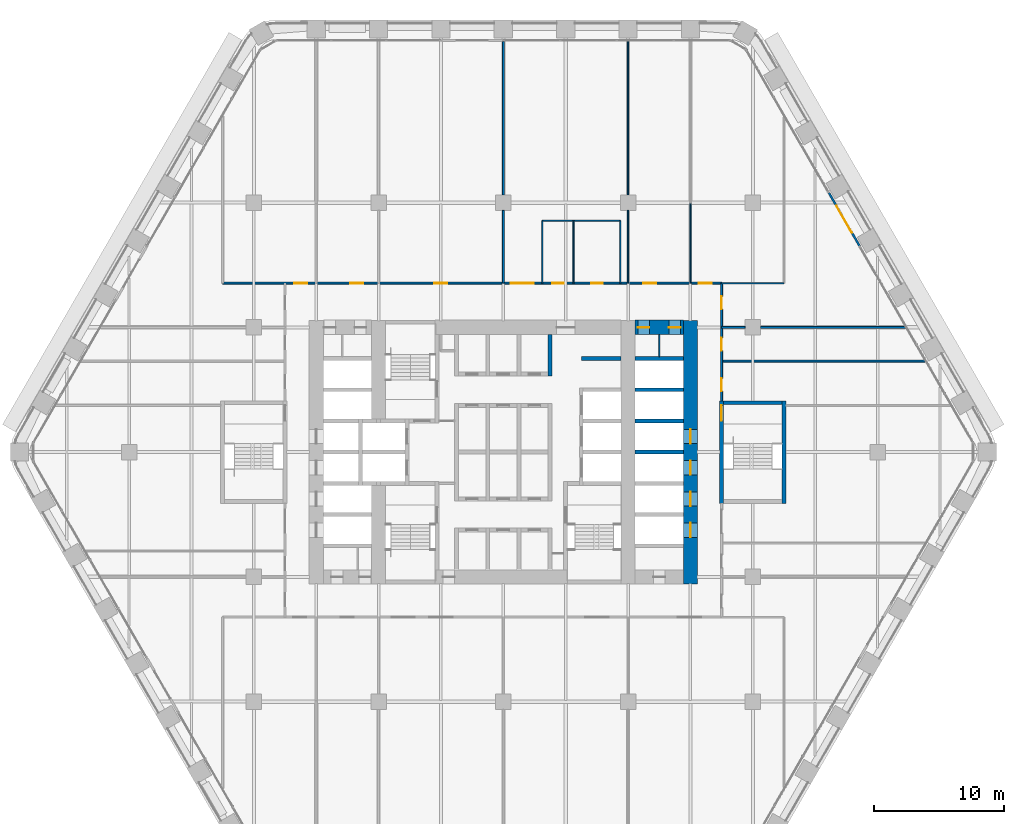
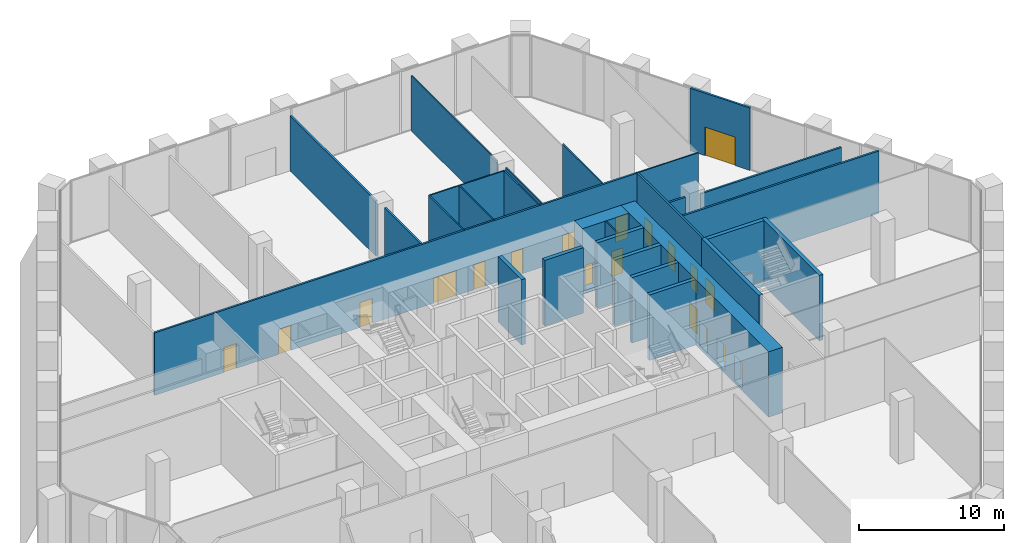
# One storey, part 21 of 27: 28 walls, 19 doors, 19 openings.
"""IFC4 building model written with IfcOpenShell, lengths in metres."""

import ifcopenshell
import ifcopenshell.guid

model = None  # the IFC model being written
_history = None  # IfcOwnerHistory: only IFC2X3 demands one
_inside = {}  # id of a spatial element -> (the spatial element, [elements in it])
_under = {}  # id of a project, library or spatial element -> (it, [spatial elements below it])
_declared = {}  # id of a project -> (the project, [libraries it declares])
_typed = {}  # id of a type object -> (the type object, [elements of that type])
_made_of = {}  # id of a material, layer set ... -> (it, [elements and type objects made of it])


def new_model(schema):
    """Start an empty IFC model of exactly this schema.

    Asked for "IFC4X3", IfcOpenShell would pick the latest addendum, in which some entities
    have other attributes; the version numbers below select the first issue.
    IFC2X3 requires an IfcOwnerHistory on every rooted entity: one is made here for all.
    """
    global model, _history
    if schema == "IFC4X3":
        model = ifcopenshell.file(schema_version=(4, 3, 0, 0))
    else:
        model = ifcopenshell.file(schema=schema)
    _inside.clear()
    _under.clear()
    _declared.clear()
    _typed.clear()
    _made_of.clear()
    _history = None
    if model.schema == "IFC2X3":
        org = make("IfcOrganization", Name="unknown")
        user = make(
            "IfcPersonAndOrganization",
            ThePerson=make("IfcPerson", FamilyName="unknown"),
            TheOrganization=org,
        )
        app = make(
            "IfcApplication",
            ApplicationDeveloper=org,
            Version="unknown",
            ApplicationFullName="unknown",
            ApplicationIdentifier="unknown",
        )
        _history = make(
            "IfcOwnerHistory",
            OwningUser=user,
            OwningApplication=app,
            ChangeAction="ADDED",
            CreationDate=0,
        )
    return model


def make(cls, **values):
    """One entity of the class cls with the attributes given. An attribute that is None is left unset."""
    return model.create_entity(
        cls, **{name: value for name, value in values.items() if value is not None}
    )


def rooted(cls, **values):
    """An entity with a GlobalId (a new one), such as an element, a storey or a relation."""
    return make(cls, GlobalId=ifcopenshell.guid.new(), OwnerHistory=_history, **values)


def si_unit(unit_type, name, prefix=None):
    """IfcSIUnit, for example si_unit("LENGTHUNIT", "METRE", prefix="MILLI")."""
    return make("IfcSIUnit", UnitType=unit_type, Prefix=prefix, Name=name)


def assignment(units):
    """IfcUnitAssignment: the units of a project."""
    return None if units is None else make("IfcUnitAssignment", Units=units)


def point(xyz):
    """IfcCartesianPoint."""
    return None if xyz is None else make("IfcCartesianPoint", Coordinates=xyz)


def direction(xyz):
    """IfcDirection."""
    return None if xyz is None else make("IfcDirection", DirectionRatios=xyz)


def frame(location, z_axis=None, x_axis=None):
    """IfcAxis2Placement3D, a coordinate frame: its origin and axes. An axis left out is left unset."""
    return make(
        "IfcAxis2Placement3D",
        Location=point(location),
        Axis=direction(z_axis),
        RefDirection=direction(x_axis),
    )


def frame_2d(location, x_axis=None):
    """IfcAxis2Placement2D, a coordinate frame in the plane: its origin and x axis."""
    return make(
        "IfcAxis2Placement2D", Location=point(location), RefDirection=direction(x_axis)
    )


def origin():
    """The frame at (0, 0, 0) with its axes left unset."""
    return frame((0.0, 0.0, 0.0))


def place(relative_to, where):
    """IfcLocalPlacement: puts the frame where relative to a parent placement (None: the world)."""
    return make(
        "IfcLocalPlacement", PlacementRelTo=relative_to, RelativePlacement=where
    )


def context(
    kind, dimensions, precision=None, world=None, true_north=None, identifier=None
):
    """IfcGeometricRepresentationContext, for example the 3D "Model" context."""
    return make(
        "IfcGeometricRepresentationContext",
        ContextIdentifier=identifier,
        ContextType=kind,
        CoordinateSpaceDimension=dimensions,
        Precision=precision,
        WorldCoordinateSystem=world,
        TrueNorth=true_north,
    )


def subcontext(parent, identifier, kind, view, scale=None):
    """IfcGeometricRepresentationSubContext, for example "Body" below "Model"."""
    return make(
        "IfcGeometricRepresentationSubContext",
        ContextIdentifier=identifier,
        ContextType=kind,
        ParentContext=parent,
        TargetScale=scale,
        TargetView=view,
    )


def project(units=None, contexts=None):
    """IfcProject with its units and contexts."""
    return rooted(
        "IfcProject",
        Name="project",
        RepresentationContexts=contexts,
        UnitsInContext=assignment(units),
    )


def spatial(cls, under=None, at=None, **own):
    """A site, building, storey or space (cls), placed at a placement, below another one or the project."""
    s = rooted(cls, ObjectPlacement=at, **own)
    if under is not None:
        _under.setdefault(under.id(), (under, []))[1].append(s)
    return s


def profile(cls, at=None, kind="AREA", **sizes):
    """A parametric profile (cls). Its sizes go by their IFC names, for example OverallWidth=200.0."""
    return make(cls, ProfileType=kind, Position=at, **sizes)


def rectangle(**sizes):
    """IfcRectangleProfileDef."""
    return profile("IfcRectangleProfileDef", **sizes)


def extrude(swept, where, along, depth):
    """IfcExtrudedAreaSolid: the profile swept, set in the frame where, extruded along a direction by depth."""
    return make(
        "IfcExtrudedAreaSolid",
        SweptArea=swept,
        Position=where,
        ExtrudedDirection=direction(along),
        Depth=depth,
    )


def shape(context_of_items, identifier, shape_type, items):
    """IfcShapeRepresentation: the items that make up one representation, for example the "Body"."""
    return make(
        "IfcShapeRepresentation",
        ContextOfItems=context_of_items,
        RepresentationIdentifier=identifier,
        RepresentationType=shape_type,
        Items=items,
    )


def material(Name=None, Category=None):
    """IfcMaterial."""
    return make("IfcMaterial", Name=Name, Category=Category)


def layer(
    of_material, thickness, ventilated=None, Name=None, Category=None, Priority=None
):
    """IfcMaterialLayer: one layer of a wall or slab, of a material (None: an air gap)."""
    return make(
        "IfcMaterialLayer",
        Material=of_material,
        LayerThickness=thickness,
        IsVentilated=ventilated,
        Name=Name,
        Category=Category,
        Priority=Priority,
    )


def layer_set(layers, Name=None):
    """IfcMaterialLayerSet."""
    return make("IfcMaterialLayerSet", MaterialLayers=layers, LayerSetName=Name)


def made_of(thing, what):
    """Note that an element or type object is made of a material, layer set ...; save() writes the relation."""
    if what is not None:
        _made_of.setdefault(what.id(), (what, []))[1].append(thing)
    return thing


def type_object(cls, material=None, **own):
    """A type object (cls), such as IfcWallType, which elements share."""
    return made_of(rooted(cls, **own), material)


def element(
    cls,
    number,
    at=None,
    inside=None,
    cuts=None,
    type_object=None,
    material=None,
    context=None,
    identifier="Body",
    shape_type=None,
    held_by="IfcProductDefinitionShape",
    body=None,
    shapes=None,
    **own,
):
    """One element of the class cls, such as IfcWall. Its Tag is "e" and its number.

    at: its placement. inside: the storey or other place that contains it. cuts: it is an
    opening in that element (IfcRelVoidsElement). A single representation is given by context,
    identifier, shape_type and body (its items); several are given by shapes. held_by: the class
    of the entity that holds the representations. save() writes the other relations.
    """
    e = rooted(cls, Tag="e%d" % number, ObjectPlacement=at, **own)
    if body is not None:
        shapes = [shape(context, identifier, shape_type, body)]
    if shapes is not None:
        e.Representation = make(held_by, Representations=shapes)
    if inside is not None:
        _inside.setdefault(inside.id(), (inside, []))[1].append(e)
    if cuts is not None:
        rooted(
            "IfcRelVoidsElement", RelatingBuildingElement=cuts, RelatedOpeningElement=e
        )
    if type_object is not None:
        _typed.setdefault(type_object.id(), (type_object, []))[1].append(e)
    return made_of(e, material)


def fill(opening, filler):
    """IfcRelFillsElement: the door or window that sits in an opening."""
    return rooted(
        "IfcRelFillsElement",
        RelatingOpeningElement=opening,
        RelatedBuildingElement=filler,
    )


def aggregate(whole, parts):
    """IfcRelAggregates: a whole, such as a stair, and the parts it consists of."""
    return rooted("IfcRelAggregates", RelatingObject=whole, RelatedObjects=parts)


def save(model, path):
    """Write the relations noted so far, then the file.

    IfcRelAggregates (storeys below a building ...), IfcRelContainedInSpatialStructure (elements
    in a storey), IfcRelDefinesByType, IfcRelAssociatesMaterial and IfcRelDeclares: one each for
    every whole, place, type object, material and project.
    """
    for whole, parts in _under.values():
        aggregate(whole, parts)
    for where, things in _inside.values():
        rooted(
            "IfcRelContainedInSpatialStructure",
            RelatedElements=things,
            RelatingStructure=where,
        )
    for kind, things in _typed.values():
        rooted("IfcRelDefinesByType", RelatedObjects=things, RelatingType=kind)
    for what, things in _made_of.values():
        rooted("IfcRelAssociatesMaterial", RelatedObjects=things, RelatingMaterial=what)
    for by, libraries in _declared.values():
        rooted("IfcRelDeclares", RelatingContext=by, RelatedDefinitions=libraries)
    model.write(path)


model = new_model("IFC4")

# Units and contexts
model_context = context("Model", 3, precision=1e-05, world=origin(), true_north=direction((0.0, 1.0)))
body_context = subcontext(model_context, "Body", "Model", "MODEL_VIEW")
ifc_project = project(units=[si_unit("LENGTHUNIT", "METRE"), si_unit("AREAUNIT", "SQUARE_METRE"), si_unit("VOLUMEUNIT", "CUBIC_METRE"), si_unit("PLANEANGLEUNIT", "RADIAN"), si_unit("MASSUNIT", "GRAM", prefix="KILO")], contexts=[model_context])

# Site, building, storey
site_placement = place(None, origin())
site = spatial("IfcSite", under=ifc_project, at=site_placement, CompositionType="ELEMENT")
building_placement = place(site_placement, origin())
building = spatial("IfcBuilding", under=site, at=building_placement, Name="Kolab Exchange Tower", CompositionType="ELEMENT")
storey_placement = place(building_placement, frame((0.0, 0.0, 22.39990234375)))
storey = spatial("IfcBuildingStorey", under=building, at=storey_placement, Name="L04", CompositionType="ELEMENT", Elevation=22.39990234375)

# Wall, openings, doors
ifc_material_1 = material(Name="Concrete C80/95", Category="concrete")
ifc_layer_1 = layer(ifc_material_1, 1.10009765625)
ifc_layer_set_1 = layer_set([ifc_layer_1], Name="Concrete C80/95")
wall_type_1 = type_object("IfcWallType", Name="CORE WALL 1100 C80/95", PredefinedType="SHEAR", material=ifc_layer_set_1)
wall_1_placement = place(storey_placement, frame((10.14990234375, 9.60009765625, -0.25), z_axis=(0.0, 0.0, 1.0), x_axis=(1.0, 0.0, 0.0)))
wall_1 = element("IfcWall", 1, at=wall_1_placement, inside=storey, type_object=wall_type_1, Name="wall/L04/core/053", PredefinedType="SHEAR", context=body_context, shape_type="SweptSolid", body=[
    extrude(rectangle(XDim=3.7001953125, YDim=1.10009765625, at=frame_2d((1.85009765625, 0.0))), origin(), (0.0, 0.0, 1.0), 5.5),
])
opening_1_placement = place(wall_1_placement, frame((0.199951171875, 0.0, 0.25)))
opening_1 = element("IfcOpeningElement", 2, at=opening_1_placement, cuts=wall_1, Name="Opening D6-103", PredefinedType="OPENING", context=body_context, shape_type="SweptSolid", body=[
    extrude(rectangle(XDim=0.89990234375, YDim=2.10009765625, at=frame_2d((0.449951171875, 1.050048828125))), frame((0.0, 0.56005859375, 0.0), z_axis=(0.0, -1.0, 0.0), x_axis=(1.0, 0.0, 0.0)), (0.0, 0.0, 1.0), 1.1201171875),
])
opening_2_placement = place(wall_1_placement, frame((2.60009765625, 0.0, 0.25)))
opening_2 = element("IfcOpeningElement", 3, at=opening_2_placement, cuts=wall_1, Name="Opening D6-104", PredefinedType="OPENING", context=body_context, shape_type="SweptSolid", body=[
    extrude(rectangle(XDim=0.89990234375, YDim=2.10009765625, at=frame_2d((0.449951171875, 1.050048828125))), frame((0.0, 0.56005859375, 0.0), z_axis=(0.0, -1.0, 0.0), x_axis=(1.0, 0.0, 0.0)), (0.0, 0.0, 1.0), 1.1201171875),
])
ifc_material_2 = material(Name="Steel S235", Category="steel")
door_type_1 = type_object("IfcDoorType", Name="CORE DOOR 900 EI 120", OperationType="SINGLE_SWING_LEFT", PredefinedType="DOOR", material=ifc_material_2)
door_1_placement = place(opening_1_placement, frame((0.89990234375, 0.0, 0.0), z_axis=(0.0, 0.0, 1.0), x_axis=(-1.0, 0.0, 0.0)))
door_1 = element("IfcDoor", 4, at=door_1_placement, inside=storey, type_object=door_type_1, Name="Service room door", OperationType="SINGLE_SWING_RIGHT", OverallHeight=2.10009765625, OverallWidth=0.89990234375, PredefinedType="DOOR", context=body_context, shape_type="SweptSolid", body=[
    extrude(rectangle(XDim=0.89990234375, YDim=2.10009765625, at=frame_2d((0.449951171875, 1.050048828125))), frame((0.0, 0.02490234375, 0.0), z_axis=(0.0, -1.0, 0.0), x_axis=(1.0, 0.0, 0.0)), (0.0, 0.0, 1.0), 0.050048828125),
])
fill(opening_1, door_1)
door_2_placement = place(opening_2_placement, frame((0.89990234375, 0.0, 0.0), z_axis=(0.0, 0.0, 1.0), x_axis=(-1.0, 0.0, 0.0)))
door_2 = element("IfcDoor", 5, at=door_2_placement, inside=storey, type_object=door_type_1, Name="Service room door", OperationType="SINGLE_SWING_RIGHT", OverallHeight=2.10009765625, OverallWidth=0.89990234375, PredefinedType="DOOR", context=body_context, shape_type="SweptSolid", body=[
    extrude(rectangle(XDim=0.89990234375, YDim=2.10009765625, at=frame_2d((0.449951171875, 1.050048828125))), frame((0.0, 0.02490234375, 0.0), z_axis=(0.0, -1.0, 0.0), x_axis=(1.0, 0.0, 0.0)), (0.0, 0.0, 1.0), 0.050048828125),
])
fill(opening_2, door_2)

wall_2_placement = place(storey_placement, frame((14.39990234375, -10.14990234375, -0.25), z_axis=(0.0, 0.0, 1.0), x_axis=(0.0, 1.0, 0.0)))
wall_2 = element("IfcWall", 6, at=wall_2_placement, inside=storey, type_object=wall_type_1, Name="wall/L04/core/081", PredefinedType="SHEAR", context=body_context, shape_type="SweptSolid", body=[
    extrude(rectangle(XDim=20.2998046875, YDim=1.10009765625, at=frame_2d((10.14990234375, 0.0))), origin(), (0.0, 0.0, 1.0), 5.5),
])
opening_3_placement = place(wall_2_placement, frame((3.60009765625, 0.0, 0.25)))
opening_3 = element("IfcOpeningElement", 7, at=opening_3_placement, cuts=wall_2, Name="Opening LD1-037", PredefinedType="OPENING", context=body_context, shape_type="SweptSolid", body=[
    extrude(rectangle(XDim=1.10009765625, YDim=2.10009765625, at=frame_2d((0.550048828125, 1.050048828125))), frame((0.0, 0.56005859375, 0.0), z_axis=(0.0, -1.0, 0.0), x_axis=(1.0, 0.0, 0.0)), (0.0, 0.0, 1.0), 1.1201171875),
])
opening_4_placement = place(wall_2_placement, frame((6.0, 0.0, 0.25)))
opening_4 = element("IfcOpeningElement", 8, at=opening_4_placement, cuts=wall_2, Name="Opening LD1-038", PredefinedType="OPENING", context=body_context, shape_type="SweptSolid", body=[
    extrude(rectangle(XDim=1.10009765625, YDim=2.10009765625, at=frame_2d((0.550048828125, 1.050048828125))), frame((0.0, 0.56005859375, 0.0), z_axis=(0.0, -1.0, 0.0), x_axis=(1.0, 0.0, 0.0)), (0.0, 0.0, 1.0), 1.1201171875),
])
opening_5_placement = place(wall_2_placement, frame((8.39990234375, 0.0, 0.25)))
opening_5 = element("IfcOpeningElement", 9, at=opening_5_placement, cuts=wall_2, Name="Opening LD1-039", PredefinedType="OPENING", context=body_context, shape_type="SweptSolid", body=[
    extrude(rectangle(XDim=1.10009765625, YDim=2.10009765625, at=frame_2d((0.550048828125, 1.050048828125))), frame((0.0, 0.56005859375, 0.0), z_axis=(0.0, -1.0, 0.0), x_axis=(1.0, 0.0, 0.0)), (0.0, 0.0, 1.0), 1.1201171875),
])
opening_6_placement = place(wall_2_placement, frame((10.800048828125, 0.0, 0.25)))
opening_6 = element("IfcOpeningElement", 10, at=opening_6_placement, cuts=wall_2, Name="Opening LD1-040", PredefinedType="OPENING", context=body_context, shape_type="SweptSolid", body=[
    extrude(rectangle(XDim=1.10009765625, YDim=2.10009765625, at=frame_2d((0.550048828125, 1.050048828125))), frame((0.0, 0.56005859375, 0.0), z_axis=(0.0, -1.0, 0.0), x_axis=(1.0, 0.0, 0.0)), (0.0, 0.0, 1.0), 1.1201171875),
])
ifc_material_3 = material(Name="Stainless steel 316", Category="steel")
door_type_2 = type_object("IfcDoorType", Name="LANDING DOOR 1100 PASSENGER", OperationType="DOUBLE_DOOR_SLIDING", PredefinedType="DOOR", material=ifc_material_3)
door_3_placement = place(opening_3_placement, origin())
door_3 = element("IfcDoor", 11, at=door_3_placement, inside=storey, type_object=door_type_2, Name="Landing door LR1", OperationType="DOUBLE_DOOR_SLIDING", OverallHeight=2.10009765625, OverallWidth=1.10009765625, PredefinedType="DOOR", context=body_context, shape_type="SweptSolid", body=[
    extrude(rectangle(XDim=1.10009765625, YDim=2.10009765625, at=frame_2d((0.550048828125, 1.050048828125))), frame((0.0, 0.02490234375, 0.0), z_axis=(0.0, -1.0, 0.0), x_axis=(1.0, 0.0, 0.0)), (0.0, 0.0, 1.0), 0.050048828125),
])
fill(opening_3, door_3)
door_4_placement = place(opening_4_placement, origin())
door_4 = element("IfcDoor", 12, at=door_4_placement, inside=storey, type_object=door_type_2, Name="Landing door LR2", OperationType="DOUBLE_DOOR_SLIDING", OverallHeight=2.10009765625, OverallWidth=1.10009765625, PredefinedType="DOOR", context=body_context, shape_type="SweptSolid", body=[
    extrude(rectangle(XDim=1.10009765625, YDim=2.10009765625, at=frame_2d((0.550048828125, 1.050048828125))), frame((0.0, 0.02490234375, 0.0), z_axis=(0.0, -1.0, 0.0), x_axis=(1.0, 0.0, 0.0)), (0.0, 0.0, 1.0), 0.050048828125),
])
fill(opening_4, door_4)
door_5_placement = place(opening_5_placement, origin())
door_5 = element("IfcDoor", 13, at=door_5_placement, inside=storey, type_object=door_type_2, Name="Landing door LR3", OperationType="DOUBLE_DOOR_SLIDING", OverallHeight=2.10009765625, OverallWidth=1.10009765625, PredefinedType="DOOR", context=body_context, shape_type="SweptSolid", body=[
    extrude(rectangle(XDim=1.10009765625, YDim=2.10009765625, at=frame_2d((0.550048828125, 1.050048828125))), frame((0.0, 0.02490234375, 0.0), z_axis=(0.0, -1.0, 0.0), x_axis=(1.0, 0.0, 0.0)), (0.0, 0.0, 1.0), 0.050048828125),
])
fill(opening_5, door_5)
door_6_placement = place(opening_6_placement, origin())
door_6 = element("IfcDoor", 14, at=door_6_placement, inside=storey, type_object=door_type_2, Name="Landing door LR4", OperationType="DOUBLE_DOOR_SLIDING", OverallHeight=2.10009765625, OverallWidth=1.10009765625, PredefinedType="DOOR", context=body_context, shape_type="SweptSolid", body=[
    extrude(rectangle(XDim=1.10009765625, YDim=2.10009765625, at=frame_2d((0.550048828125, 1.050048828125))), frame((0.0, 0.02490234375, 0.0), z_axis=(0.0, -1.0, 0.0), x_axis=(1.0, 0.0, 0.0)), (0.0, 0.0, 1.0), 0.050048828125),
])
fill(opening_6, door_6)

# Wall, opening, door
ifc_material_4 = material(Name="Aluminium EN AW-6063 T6", Category="aluminium")
ifc_layer_2 = layer(ifc_material_4, 0.159912109375)
ifc_layer_set_2 = layer_set([ifc_layer_2], Name="Aluminium EN AW-6063 T6")
wall_type_2 = type_object("IfcWallType", Name="DOOR SURROUND WALL 160 ALUMINIUM FRAMED", PredefinedType="PARTITIONING", material=ifc_layer_set_2)
wall_3_placement = place(storey_placement, frame((25.046630859375, 19.96875, 0.0), z_axis=(0.0, 0.0, 1.0), x_axis=(0.5000167099, -0.866015756104, 0.0)))
wall_3 = element("IfcWall", 15, at=wall_3_placement, inside=storey, type_object=wall_type_2, Name="Door surround wall", PredefinedType="PARTITIONING", context=body_context, shape_type="SweptSolid", body=[
    extrude(rectangle(XDim=4.739990234375, YDim=0.159912109375, at=frame_2d((2.3701171875, 0.0))), origin(), (0.0, 0.0, 1.0), 5.25),
])
opening_7_placement = place(wall_3_placement, frame((1.169921875, 0.0, 0.0)))
opening_7 = element("IfcOpeningElement", 16, at=opening_7_placement, cuts=wall_3, Name="Opening GD1-018", PredefinedType="OPENING", context=body_context, shape_type="SweptSolid", body=[
    extrude(rectangle(XDim=2.39990234375, YDim=2.39990234375, at=frame_2d((1.199951171875, 1.199951171875))), frame((0.0, 0.08984375, 0.0), z_axis=(0.0, -1.0, 0.0), x_axis=(1.0, 0.0, 0.0)), (0.0, 0.0, 1.0), 0.179931640625),
])
door_type_3 = type_object("IfcDoorType", Name="LOGGIA SLIDING GLASS DOOR 2400 X 2400", OperationType="DOUBLE_DOOR_SINGLE_SWING", PredefinedType="DOOR", material=ifc_material_4)
door_7_placement = place(opening_7_placement, origin())
door_7 = element("IfcDoor", 17, at=door_7_placement, inside=storey, type_object=door_type_3, Name="Loggia door", OperationType="DOUBLE_DOOR_SLIDING", OverallHeight=2.39990234375, OverallWidth=2.39990234375, PredefinedType="DOOR", context=body_context, shape_type="SweptSolid", body=[
    extrude(rectangle(XDim=2.39990234375, YDim=2.39990234375, at=frame_2d((1.199951171875, 1.199951171875))), frame((0.0, 0.02490234375, 0.0), z_axis=(0.0, -1.0, 0.0), x_axis=(1.0, 0.0, 0.0)), (0.0, 0.0, 1.0), 0.050048828125),
])
fill(opening_7, door_7)

# Walls
ifc_material_5 = material(Name="Concrete C50/60", Category="concrete")
ifc_layer_3 = layer(ifc_material_5, 0.300048828125)
ifc_layer_set_3 = layer_set([ifc_layer_3], Name="Concrete C50/60")
wall_type_3 = type_object("IfcWallType", Name="LIFT SHAFT WALL 300 C50/60", PredefinedType="STANDARD", material=ifc_layer_set_3)
for number, where, z_axis, x_axis, name in (
    (18, (10.14990234375, 0.0, -0.25), (0.0, 0.0, 1.0), (1.0, 0.0, 0.0), "wall/L04/core/030"),
    (19, (10.14990234375, 2.39990234375, -0.25), (0.0, 0.0, 1.0), (1.0, 0.0, 0.0), "wall/L04/core/036"),
    (20, (10.14990234375, 4.800048828125, -0.25), (0.0, 0.0, 1.0), (1.0, 0.0, 0.0), "wall/L04/core/044"),
):
    element("IfcWall", number, at=place(storey_placement, frame(where, z_axis=z_axis, x_axis=x_axis)), inside=storey, type_object=wall_type_3, Name=name, PredefinedType="STANDARD", context=body_context, shape_type="SweptSolid", body=[
        extrude(rectangle(XDim=3.7001953125, YDim=0.300048828125, at=frame_2d((1.85009765625, 0.0))), origin(), (0.0, 0.0, 1.0), 5.5),
    ])
wall_4_placement = place(storey_placement, frame((6.0, 7.199951171875, -0.25), z_axis=(0.0, 0.0, 1.0), x_axis=(1.0, 0.0, 0.0)))
element("IfcWall", 21, at=wall_4_placement, inside=storey, type_object=wall_type_3, Name="wall/L04/core/049", PredefinedType="STANDARD", context=body_context, shape_type="SweptSolid", body=[
    extrude(rectangle(XDim=3.050048828125, YDim=0.300048828125, at=frame_2d((1.52490234375, 0.0))), origin(), (0.0, 0.0, 1.0), 5.5),
])
wall_5_placement = place(storey_placement, frame((10.14990234375, 7.199951171875, -0.25), z_axis=(0.0, 0.0, 1.0), x_axis=(1.0, 0.0, 0.0)))
element("IfcWall", 22, at=wall_5_placement, inside=storey, type_object=wall_type_3, Name="wall/L04/core/050", PredefinedType="STANDARD", context=body_context, shape_type="SweptSolid", body=[
    extrude(rectangle(XDim=3.7001953125, YDim=0.300048828125, at=frame_2d((1.85009765625, 0.0))), origin(), (0.0, 0.0, 1.0), 5.5),
])
wall_6_placement = place(storey_placement, frame((3.60009765625, 5.85009765625, -0.25), z_axis=(0.0, 0.0, 1.0), x_axis=(0.0, 1.0, 0.0)))
element("IfcWall", 23, at=wall_6_placement, inside=storey, type_object=wall_type_3, Name="wall/L04/core/077", PredefinedType="STANDARD", context=body_context, shape_type="SweptSolid", body=[
    extrude(rectangle(XDim=3.199951171875, YDim=0.300048828125, at=frame_2d((1.60009765625, 0.0))), origin(), (0.0, 0.0, 1.0), 5.5),
])
ifc_material_6 = material(Name="Gypsum board", Category="gypsum")
ifc_layer_4 = layer(ifc_material_6, 0.10009765625)
ifc_layer_set_4 = layer_set([ifc_layer_4], Name="Gypsum board")
wall_type_4 = type_object("IfcWallType", Name="PARTITION 100", PredefinedType="PARTITIONING", material=ifc_layer_set_4)
wall_7_placement = place(storey_placement, frame((14.39990234375, 13.0, 0.0), z_axis=(0.0, 0.0, 1.0), x_axis=(0.0, 1.0, 0.0)))
element("IfcWall", 24, at=wall_7_placement, inside=storey, type_object=wall_type_4, Name="Partition 004", PredefinedType="PARTITIONING", context=body_context, shape_type="SweptSolid", body=[
    extrude(rectangle(XDim=6.113037109375, YDim=0.10009765625, at=frame_2d((3.056640625, 0.0))), origin(), (0.0, 0.0, 1.0), 4.793212890625),
])
wall_8_placement = place(storey_placement, frame((12.0, 7.35009765625, 0.0), z_axis=(0.0, 0.0, 1.0), x_axis=(0.0, 1.0, 0.0)))
element("IfcWall", 25, at=wall_8_placement, inside=storey, type_object=wall_type_4, Name="Partition 005", PredefinedType="PARTITIONING", context=body_context, shape_type="SweptSolid", body=[
    extrude(rectangle(XDim=1.699951171875, YDim=0.10009765625, at=frame_2d((0.85009765625, 0.0))), origin(), (0.0, 0.0, 1.0), 5.25),
])
wall_9_placement = place(storey_placement, frame((9.60009765625, 13.0, 0.0), z_axis=(0.0, 0.0, 1.0), x_axis=(0.0, 1.0, 0.0)))
element("IfcWall", 26, at=wall_9_placement, inside=storey, type_object=wall_type_4, Name="Partition 008", PredefinedType="PARTITIONING", context=body_context, shape_type="SweptSolid", body=[
    extrude(rectangle(XDim=5.60009765625, YDim=0.10009765625, at=frame_2d((2.800048828125, 0.0))), origin(), (0.0, 0.0, 1.0), 4.793212890625),
])
wall_10_placement = place(storey_placement, frame((9.60009765625, 19.800048828125, 0.0), z_axis=(0.0, 0.0, 1.0), x_axis=(0.0, 1.0, 0.0)))
element("IfcWall", 27, at=wall_10_placement, inside=storey, type_object=wall_type_4, Name="Partition 009", PredefinedType="PARTITIONING", context=body_context, shape_type="SweptSolid", body=[
    extrude(rectangle(XDim=11.785400390625, YDim=0.10009765625, at=frame_2d((5.892578125, 0.0))), origin(), (0.0, 0.0, 1.0), 4.64208984375),
])
for number, where, z_axis, x_axis, name in (
    (28, (9.0, 13.0, 0.0), (0.0, 0.0, 1.0), (0.0, 1.0, 0.0), "Partition 010"),
    (29, (5.39990234375, 13.0, 0.0), (0.0, 0.0, 1.0), (0.0, 1.0, 0.0), "Partition 011"),
    (30, (3.0, 13.0, 0.0), (0.0, 0.0, 1.0), (0.0, 1.0, 0.0), "Partition 012"),
    (31, (16.800048828125, 13.0, 0.0), (0.0, 0.0, 1.0), (1.0, 0.0, 0.0), "Partition 048"),
):
    element("IfcWall", number, at=place(storey_placement, frame(where, z_axis=z_axis, x_axis=x_axis)), inside=storey, type_object=wall_type_4, Name=name, PredefinedType="PARTITIONING", context=body_context, shape_type="SweptSolid", body=[
        extrude(rectangle(XDim=4.800048828125, YDim=0.10009765625, at=frame_2d((2.39990234375, 0.0))), origin(), (0.0, 0.0, 1.0), 5.25),
    ])
wall_11_placement = place(storey_placement, frame((3.0, 17.800048828125, 0.0), z_axis=(0.0, 0.0, 1.0), x_axis=(1.0, 0.0, 0.0)))
element("IfcWall", 32, at=wall_11_placement, inside=storey, type_object=wall_type_4, Name="Partition 050", PredefinedType="PARTITIONING", context=body_context, shape_type="SweptSolid", body=[
    extrude(rectangle(XDim=6.0, YDim=0.10009765625, at=frame_2d((3.0, 0.0))), origin(), (0.0, 0.0, 1.0), 5.25),
])

# Wall, openings, doors
ifc_layer_5 = layer(ifc_material_6, 0.14990234375)
ifc_layer_set_5 = layer_set([ifc_layer_5], Name="Gypsum board")
wall_type_5 = type_object("IfcWallType", Name="PARTITION 150 FIRE-RATED", PredefinedType="PARTITIONING", material=ifc_layer_set_5)
wall_12_placement = place(storey_placement, frame((16.800048828125, 3.949951171875, 0.0), z_axis=(0.0, 0.0, 1.0), x_axis=(0.0, 1.0, 0.0)))
wall_12 = element("IfcWall", 33, at=wall_12_placement, inside=storey, type_object=wall_type_5, Name="Partition 003", PredefinedType="PARTITIONING", context=body_context, shape_type="SweptSolid", body=[
    extrude(rectangle(XDim=9.050048828125, YDim=0.14990234375, at=frame_2d((4.52490234375, 0.0))), origin(), (0.0, 0.0, 1.0), 5.25),
])
opening_8_placement = place(wall_12_placement, frame((0.7548828125, 0.0, 0.0)))
opening_8 = element("IfcOpeningElement", 34, at=opening_8_placement, cuts=wall_12, Name="Opening D1-075", PredefinedType="OPENING", context=body_context, shape_type="SweptSolid", body=[
    extrude(rectangle(XDim=1.0, YDim=2.10009765625, at=frame_2d((0.5, 1.050048828125))), frame((0.0, 0.0849609375, 0.0), z_axis=(0.0, -1.0, 0.0), x_axis=(1.0, 0.0, 0.0)), (0.0, 0.0, 1.0), 0.169921875),
])
opening_9_placement = place(wall_12_placement, frame((3.85009765625, 0.0, 0.0)))
opening_9 = element("IfcOpeningElement", 35, at=opening_9_placement, cuts=wall_12, Name="Opening D1-076", PredefinedType="OPENING", context=body_context, shape_type="SweptSolid", body=[
    extrude(rectangle(XDim=1.0, YDim=2.10009765625, at=frame_2d((0.5, 1.050048828125))), frame((0.0, 0.0849609375, 0.0), z_axis=(0.0, -1.0, 0.0), x_axis=(1.0, 0.0, 0.0)), (0.0, 0.0, 1.0), 0.169921875),
])
opening_10_placement = place(wall_12_placement, frame((7.050048828125, 0.0, 0.0)))
opening_10 = element("IfcOpeningElement", 36, at=opening_10_placement, cuts=wall_12, Name="Opening D1-077", PredefinedType="OPENING", context=body_context, shape_type="SweptSolid", body=[
    extrude(rectangle(XDim=1.0, YDim=2.10009765625, at=frame_2d((0.5, 1.050048828125))), frame((0.0, 0.0849609375, 0.0), z_axis=(0.0, -1.0, 0.0), x_axis=(1.0, 0.0, 0.0)), (0.0, 0.0, 1.0), 0.169921875),
])
door_type_4 = type_object("IfcDoorType", Name="FLUSH DOOR 1000 FD60", OperationType="SINGLE_SWING_LEFT", PredefinedType="DOOR", material=ifc_material_2)
door_8_placement = place(opening_8_placement, frame((1.0, 0.0, 0.0), z_axis=(0.0, 0.0, 1.0), x_axis=(-1.0, 0.0, 0.0)))
door_8 = element("IfcDoor", 37, at=door_8_placement, inside=storey, type_object=door_type_4, Name="Door L04-062", OperationType="SINGLE_SWING_LEFT", OverallHeight=2.10009765625, OverallWidth=1.0, PredefinedType="DOOR", context=body_context, shape_type="SweptSolid", body=[
    extrude(rectangle(XDim=1.0, YDim=2.10009765625, at=frame_2d((0.5, 1.050048828125))), frame((0.0, 0.02490234375, 0.0), z_axis=(0.0, -1.0, 0.0), x_axis=(1.0, 0.0, 0.0)), (0.0, 0.0, 1.0), 0.050048828125),
])
fill(opening_8, door_8)
door_9_placement = place(opening_9_placement, frame((1.0, 0.0, 0.0), z_axis=(0.0, 0.0, 1.0), x_axis=(-1.0, 0.0, 0.0)))
door_9 = element("IfcDoor", 38, at=door_9_placement, inside=storey, type_object=door_type_4, Name="Door L04-063", OperationType="SINGLE_SWING_RIGHT", OverallHeight=2.10009765625, OverallWidth=1.0, PredefinedType="DOOR", context=body_context, shape_type="SweptSolid", body=[
    extrude(rectangle(XDim=1.0, YDim=2.10009765625, at=frame_2d((0.5, 1.050048828125))), frame((0.0, 0.02490234375, 0.0), z_axis=(0.0, -1.0, 0.0), x_axis=(1.0, 0.0, 0.0)), (0.0, 0.0, 1.0), 0.050048828125),
])
fill(opening_9, door_9)
door_10_placement = place(opening_10_placement, frame((1.0, 0.0, 0.0), z_axis=(0.0, 0.0, 1.0), x_axis=(-1.0, 0.0, 0.0)))
door_10 = element("IfcDoor", 39, at=door_10_placement, inside=storey, type_object=door_type_4, Name="Door L04-064", OperationType="SINGLE_SWING_RIGHT", OverallHeight=2.10009765625, OverallWidth=1.0, PredefinedType="DOOR", context=body_context, shape_type="SweptSolid", body=[
    extrude(rectangle(XDim=1.0, YDim=2.10009765625, at=frame_2d((0.5, 1.050048828125))), frame((0.0, 0.02490234375, 0.0), z_axis=(0.0, -1.0, 0.0), x_axis=(1.0, 0.0, 0.0)), (0.0, 0.0, 1.0), 0.050048828125),
])
fill(opening_10, door_10)

# Walls
wall_13_placement = place(storey_placement, frame((0.0, 13.0, 0.0), z_axis=(0.0, 0.0, 1.0), x_axis=(0.0, 1.0, 0.0)))
element("IfcWall", 40, at=wall_13_placement, inside=storey, type_object=wall_type_5, Name="Partition 015", PredefinedType="PARTITIONING", context=body_context, shape_type="SweptSolid", body=[
    extrude(rectangle(XDim=5.60009765625, YDim=0.14990234375, at=frame_2d((2.800048828125, 0.0))), origin(), (0.0, 0.0, 1.0), 4.793212890625),
])
wall_14_placement = place(storey_placement, frame((0.0, 19.800048828125, 0.0), z_axis=(0.0, 0.0, 1.0), x_axis=(0.0, 1.0, 0.0)))
element("IfcWall", 41, at=wall_14_placement, inside=storey, type_object=wall_type_5, Name="Partition 016", PredefinedType="PARTITIONING", context=body_context, shape_type="SweptSolid", body=[
    extrude(rectangle(XDim=11.79541015625, YDim=0.14990234375, at=frame_2d((5.897705078125, 0.0))), origin(), (0.0, 0.0, 1.0), 4.64208984375),
])
wall_15_placement = place(storey_placement, frame((16.800048828125, 7.0, 0.0), z_axis=(0.0, 0.0, 1.0), x_axis=(1.0, 0.0, 0.0)))
element("IfcWall", 42, at=wall_15_placement, inside=storey, type_object=wall_type_5, Name="Partition 042", PredefinedType="PARTITIONING", context=body_context, shape_type="SweptSolid", body=[
    extrude(rectangle(XDim=15.687744140625, YDim=0.14990234375, at=frame_2d((7.84375, 0.0))), origin(), (0.0, 0.0, 1.0), 5.25),
])
wall_16_placement = place(storey_placement, frame((16.800048828125, 9.60009765625, 0.0), z_axis=(0.0, 0.0, 1.0), x_axis=(1.0, 0.0, 0.0)))
element("IfcWall", 43, at=wall_16_placement, inside=storey, type_object=wall_type_5, Name="Partition 046", PredefinedType="PARTITIONING", context=body_context, shape_type="SweptSolid", body=[
    extrude(rectangle(XDim=1.800048828125, YDim=0.14990234375, at=frame_2d((0.89990234375, 0.0))), origin(), (0.0, 0.0, 1.0), 4.64208984375),
])
wall_17_placement = place(storey_placement, frame((19.800048828125, 9.60009765625, 0.0), z_axis=(0.0, 0.0, 1.0), x_axis=(1.0, 0.0, 0.0)))
element("IfcWall", 44, at=wall_17_placement, inside=storey, type_object=wall_type_5, Name="Partition 047", PredefinedType="PARTITIONING", context=body_context, shape_type="SweptSolid", body=[
    extrude(rectangle(XDim=11.186767578125, YDim=0.14990234375, at=frame_2d((5.59326171875, 0.0))), origin(), (0.0, 0.0, 1.0), 4.488037109375),
])

# Wall, openings, doors
wall_18_placement = place(storey_placement, frame((-21.60009765625, 13.0, 0.0), z_axis=(0.0, 0.0, 1.0), x_axis=(1.0, 0.0, 0.0)))
wall_18 = element("IfcWall", 45, at=wall_18_placement, inside=storey, type_object=wall_type_5, Name="Partition 049", PredefinedType="PARTITIONING", context=body_context, shape_type="SweptSolid", body=[
    extrude(rectangle(XDim=38.400146484375, YDim=0.14990234375, at=frame_2d((19.2001953125, 0.0))), origin(), (0.0, 0.0, 1.0), 5.25),
])
opening_11_placement = place(wall_18_placement, frame((5.5, 0.0, 0.0)))
opening_11 = element("IfcOpeningElement", 46, at=opening_11_placement, cuts=wall_18, Name="Opening D1-066", PredefinedType="OPENING", context=body_context, shape_type="SweptSolid", body=[
    extrude(rectangle(XDim=1.0, YDim=2.10009765625, at=frame_2d((0.5, 1.050048828125))), frame((0.0, 0.0849609375, 0.0), z_axis=(0.0, -1.0, 0.0), x_axis=(1.0, 0.0, 0.0)), (0.0, 0.0, 1.0), 0.169921875),
])
opening_12_placement = place(wall_18_placement, frame((9.824951171875, 0.0, 0.0)))
opening_12 = element("IfcOpeningElement", 47, at=opening_12_placement, cuts=wall_18, Name="Opening D1-067", PredefinedType="OPENING", context=body_context, shape_type="SweptSolid", body=[
    extrude(rectangle(XDim=1.0, YDim=2.10009765625, at=frame_2d((0.5, 1.050048828125))), frame((0.0, 0.0849609375, 0.0), z_axis=(0.0, -1.0, 0.0), x_axis=(1.0, 0.0, 0.0)), (0.0, 0.0, 1.0), 0.169921875),
])
opening_13_placement = place(wall_18_placement, frame((16.300048828125, 0.0, 0.0)))
opening_13 = element("IfcOpeningElement", 48, at=opening_13_placement, cuts=wall_18, Name="Opening D1-068", PredefinedType="OPENING", context=body_context, shape_type="SweptSolid", body=[
    extrude(rectangle(XDim=1.0, YDim=2.10009765625, at=frame_2d((0.5, 1.050048828125))), frame((0.0, 0.0849609375, 0.0), z_axis=(0.0, -1.0, 0.0), x_axis=(1.0, 0.0, 0.0)), (0.0, 0.0, 1.0), 0.169921875),
])
opening_14_placement = place(wall_18_placement, frame((22.155029296875, 0.0, 0.0)))
opening_14 = element("IfcOpeningElement", 49, at=opening_14_placement, cuts=wall_18, Name="Opening D2-009", PredefinedType="OPENING", context=body_context, shape_type="SweptSolid", body=[
    extrude(rectangle(XDim=1.800048828125, YDim=2.10009765625, at=frame_2d((0.89990234375, 1.050048828125))), frame((0.0, 0.0849609375, 0.0), z_axis=(0.0, -1.0, 0.0), x_axis=(1.0, 0.0, 0.0)), (0.0, 0.0, 1.0), 0.169921875),
])
opening_15_placement = place(wall_18_placement, frame((32.375, 0.0, 0.0)))
opening_15 = element("IfcOpeningElement", 50, at=opening_15_placement, cuts=wall_18, Name="Opening D1-069", PredefinedType="OPENING", context=body_context, shape_type="SweptSolid", body=[
    extrude(rectangle(XDim=1.0, YDim=2.10009765625, at=frame_2d((0.5, 1.050048828125))), frame((0.0, 0.0849609375, 0.0), z_axis=(0.0, -1.0, 0.0), x_axis=(1.0, 0.0, 0.0)), (0.0, 0.0, 1.0), 0.169921875),
])
opening_16_placement = place(wall_18_placement, frame((36.625, 0.0, 0.0)))
opening_16 = element("IfcOpeningElement", 51, at=opening_16_placement, cuts=wall_18, Name="Opening D1-070", PredefinedType="OPENING", context=body_context, shape_type="SweptSolid", body=[
    extrude(rectangle(XDim=1.0, YDim=2.10009765625, at=frame_2d((0.5, 1.050048828125))), frame((0.0, 0.0849609375, 0.0), z_axis=(0.0, -1.0, 0.0), x_axis=(1.0, 0.0, 0.0)), (0.0, 0.0, 1.0), 0.169921875),
])
opening_17_placement = place(wall_18_placement, frame((28.35009765625, 0.0, 0.0)))
opening_17 = element("IfcOpeningElement", 52, at=opening_17_placement, cuts=wall_18, Name="Opening D3-009", PredefinedType="OPENING", context=body_context, shape_type="SweptSolid", body=[
    extrude(rectangle(XDim=0.89990234375, YDim=2.10009765625, at=frame_2d((0.449951171875, 1.050048828125))), frame((0.0, 0.0849609375, 0.0), z_axis=(0.0, -1.0, 0.0), x_axis=(1.0, 0.0, 0.0)), (0.0, 0.0, 1.0), 0.169921875),
])
opening_18_placement = place(wall_18_placement, frame((25.35009765625, 0.0, 0.0)))
opening_18 = element("IfcOpeningElement", 53, at=opening_18_placement, cuts=wall_18, Name="Opening D3-010", PredefinedType="OPENING", context=body_context, shape_type="SweptSolid", body=[
    extrude(rectangle(XDim=0.89990234375, YDim=2.10009765625, at=frame_2d((0.449951171875, 1.050048828125))), frame((0.0, 0.0849609375, 0.0), z_axis=(0.0, -1.0, 0.0), x_axis=(1.0, 0.0, 0.0)), (0.0, 0.0, 1.0), 0.169921875),
])
door_type_5 = type_object("IfcDoorType", Name="DOUBLE DOOR 1800 FD60", OperationType="DOUBLE_DOOR_SINGLE_SWING", PredefinedType="DOOR", material=ifc_material_2)
door_11_placement = place(opening_14_placement, origin())
door_11 = element("IfcDoor", 54, at=door_11_placement, inside=storey, type_object=door_type_5, Name="Door L04-051", OperationType="SINGLE_SWING_LEFT", OverallHeight=2.10009765625, OverallWidth=1.800048828125, PredefinedType="DOOR", context=body_context, shape_type="SweptSolid", body=[
    extrude(rectangle(XDim=1.800048828125, YDim=2.10009765625, at=frame_2d((0.89990234375, 1.050048828125))), frame((0.0, 0.02490234375, 0.0), z_axis=(0.0, -1.0, 0.0), x_axis=(1.0, 0.0, 0.0)), (0.0, 0.0, 1.0), 0.050048828125),
])
fill(opening_14, door_11)
door_12_placement = place(opening_11_placement, origin())
door_12 = element("IfcDoor", 55, at=door_12_placement, inside=storey, type_object=door_type_4, Name="Door L04-048", OperationType="SINGLE_SWING_RIGHT", OverallHeight=2.10009765625, OverallWidth=1.0, PredefinedType="DOOR", context=body_context, shape_type="SweptSolid", body=[
    extrude(rectangle(XDim=1.0, YDim=2.10009765625, at=frame_2d((0.5, 1.050048828125))), frame((0.0, 0.02490234375, 0.0), z_axis=(0.0, -1.0, 0.0), x_axis=(1.0, 0.0, 0.0)), (0.0, 0.0, 1.0), 0.050048828125),
])
fill(opening_11, door_12)
door_13_placement = place(opening_12_placement, origin())
door_13 = element("IfcDoor", 56, at=door_13_placement, inside=storey, type_object=door_type_4, Name="Door L04-049", OperationType="SINGLE_SWING_RIGHT", OverallHeight=2.10009765625, OverallWidth=1.0, PredefinedType="DOOR", context=body_context, shape_type="SweptSolid", body=[
    extrude(rectangle(XDim=1.0, YDim=2.10009765625, at=frame_2d((0.5, 1.050048828125))), frame((0.0, 0.02490234375, 0.0), z_axis=(0.0, -1.0, 0.0), x_axis=(1.0, 0.0, 0.0)), (0.0, 0.0, 1.0), 0.050048828125),
])
fill(opening_12, door_13)
door_14_placement = place(opening_13_placement, origin())
door_14 = element("IfcDoor", 57, at=door_14_placement, inside=storey, type_object=door_type_4, Name="Door L04-050", OperationType="SINGLE_SWING_LEFT", OverallHeight=2.10009765625, OverallWidth=1.0, PredefinedType="DOOR", context=body_context, shape_type="SweptSolid", body=[
    extrude(rectangle(XDim=1.0, YDim=2.10009765625, at=frame_2d((0.5, 1.050048828125))), frame((0.0, 0.02490234375, 0.0), z_axis=(0.0, -1.0, 0.0), x_axis=(1.0, 0.0, 0.0)), (0.0, 0.0, 1.0), 0.050048828125),
])
fill(opening_13, door_14)
door_15_placement = place(opening_15_placement, origin())
door_15 = element("IfcDoor", 58, at=door_15_placement, inside=storey, type_object=door_type_4, Name="Door L04-052", OperationType="SINGLE_SWING_LEFT", OverallHeight=2.10009765625, OverallWidth=1.0, PredefinedType="DOOR", context=body_context, shape_type="SweptSolid", body=[
    extrude(rectangle(XDim=1.0, YDim=2.10009765625, at=frame_2d((0.5, 1.050048828125))), frame((0.0, 0.02490234375, 0.0), z_axis=(0.0, -1.0, 0.0), x_axis=(1.0, 0.0, 0.0)), (0.0, 0.0, 1.0), 0.050048828125),
])
fill(opening_15, door_15)
door_16_placement = place(opening_16_placement, origin())
door_16 = element("IfcDoor", 59, at=door_16_placement, inside=storey, type_object=door_type_4, Name="Door L04-053", OperationType="SINGLE_SWING_LEFT", OverallHeight=2.10009765625, OverallWidth=1.0, PredefinedType="DOOR", context=body_context, shape_type="SweptSolid", body=[
    extrude(rectangle(XDim=1.0, YDim=2.10009765625, at=frame_2d((0.5, 1.050048828125))), frame((0.0, 0.02490234375, 0.0), z_axis=(0.0, -1.0, 0.0), x_axis=(1.0, 0.0, 0.0)), (0.0, 0.0, 1.0), 0.050048828125),
])
fill(opening_16, door_16)
door_type_6 = type_object("IfcDoorType", Name="FLUSH DOOR 900 FD60", OperationType="SINGLE_SWING_LEFT", PredefinedType="DOOR", material=ifc_material_2)
door_17_placement = place(opening_17_placement, origin())
door_17 = element("IfcDoor", 60, at=door_17_placement, inside=storey, type_object=door_type_6, Name="Door L04-071", OperationType="SINGLE_SWING_LEFT", OverallHeight=2.10009765625, OverallWidth=0.89990234375, PredefinedType="DOOR", context=body_context, shape_type="SweptSolid", body=[
    extrude(rectangle(XDim=0.89990234375, YDim=2.10009765625, at=frame_2d((0.449951171875, 1.050048828125))), frame((0.0, 0.02490234375, 0.0), z_axis=(0.0, -1.0, 0.0), x_axis=(1.0, 0.0, 0.0)), (0.0, 0.0, 1.0), 0.050048828125),
])
fill(opening_17, door_17)
door_18_placement = place(opening_18_placement, origin())
door_18 = element("IfcDoor", 61, at=door_18_placement, inside=storey, type_object=door_type_6, Name="Door L04-072", OperationType="SINGLE_SWING_LEFT", OverallHeight=2.10009765625, OverallWidth=0.89990234375, PredefinedType="DOOR", context=body_context, shape_type="SweptSolid", body=[
    extrude(rectangle(XDim=0.89990234375, YDim=2.10009765625, at=frame_2d((0.449951171875, 1.050048828125))), frame((0.0, 0.02490234375, 0.0), z_axis=(0.0, -1.0, 0.0), x_axis=(1.0, 0.0, 0.0)), (0.0, 0.0, 1.0), 0.050048828125),
])
fill(opening_18, door_18)

# Wall
ifc_layer_6 = layer(ifc_material_5, 0.300048828125)
ifc_layer_set_6 = layer_set([ifc_layer_6], Name="Concrete C50/60")
wall_type_6 = type_object("IfcWallType", Name="STAIR ENCLOSURE WALL 300 C50/60", PredefinedType="STANDARD", material=ifc_layer_set_6)
wall_19_placement = place(storey_placement, frame((16.949951171875, 3.800048828125, -0.25), z_axis=(0.0, 0.0, 1.0), x_axis=(1.0, 0.0, 0.0)))
element("IfcWall", 62, at=wall_19_placement, inside=storey, type_object=wall_type_6, Name="wall/L04/core/041", PredefinedType="STANDARD", context=body_context, shape_type="SweptSolid", body=[
    extrude(rectangle(XDim=4.5, YDim=0.300048828125, at=frame_2d((2.25, 0.0))), origin(), (0.0, 0.0, 1.0), 5.5),
])

# Wall, opening, door
wall_20_placement = place(storey_placement, frame((16.800048828125, -3.949951171875, -0.25), z_axis=(0.0, 0.0, 1.0), x_axis=(0.0, 1.0, 0.0)))
wall_20 = element("IfcWall", 63, at=wall_20_placement, inside=storey, type_object=wall_type_6, Name="wall/L04/core/082", PredefinedType="STANDARD", context=body_context, shape_type="SweptSolid", body=[
    extrude(rectangle(XDim=7.89990234375, YDim=0.300048828125, at=frame_2d((3.949951171875, 0.0))), origin(), (0.0, 0.0, 1.0), 5.5),
])
opening_19_placement = place(wall_20_placement, frame((6.35009765625, 0.0, 0.25)))
opening_19 = element("IfcOpeningElement", 64, at=opening_19_placement, cuts=wall_20, Name="Opening D4-023", PredefinedType="OPENING", context=body_context, shape_type="SweptSolid", body=[
    extrude(rectangle(XDim=1.199951171875, YDim=2.10009765625, at=frame_2d((0.60009765625, 1.050048828125))), frame((0.0, 0.16015625, 0.0), z_axis=(0.0, -1.0, 0.0), x_axis=(1.0, 0.0, 0.0)), (0.0, 0.0, 1.0), 0.320068359375),
])
door_type_7 = type_object("IfcDoorType", Name="STAIR DOOR 1200 EI 120", OperationType="SINGLE_SWING_LEFT", PredefinedType="DOOR", material=ifc_material_2)
door_19_placement = place(opening_19_placement, frame((1.199951171875, 0.0, 0.0), z_axis=(0.0, 0.0, 1.0), x_axis=(-1.0, 0.0, 0.0)))
door_19 = element("IfcDoor", 65, at=door_19_placement, inside=storey, type_object=door_type_7, Name="Stair 4 door", OperationType="SINGLE_SWING_RIGHT", OverallHeight=2.10009765625, OverallWidth=1.199951171875, PredefinedType="DOOR", context=body_context, shape_type="SweptSolid", body=[
    extrude(rectangle(XDim=1.199951171875, YDim=2.10009765625, at=frame_2d((0.60009765625, 1.050048828125))), frame((0.0, 0.02490234375, 0.0), z_axis=(0.0, -1.0, 0.0), x_axis=(1.0, 0.0, 0.0)), (0.0, 0.0, 1.0), 0.050048828125),
])
fill(opening_19, door_19)

# Wall
wall_21_placement = place(storey_placement, frame((21.60009765625, -3.949951171875, -0.25), z_axis=(0.0, 0.0, 1.0), x_axis=(0.0, 1.0, 0.0)))
element("IfcWall", 66, at=wall_21_placement, inside=storey, type_object=wall_type_6, Name="wall/L04/core/083", PredefinedType="STANDARD", context=body_context, shape_type="SweptSolid", body=[
    extrude(rectangle(XDim=7.89990234375, YDim=0.300048828125, at=frame_2d((3.949951171875, 0.0))), origin(), (0.0, 0.0, 1.0), 5.5),
])

save(model, "model.ifc")
